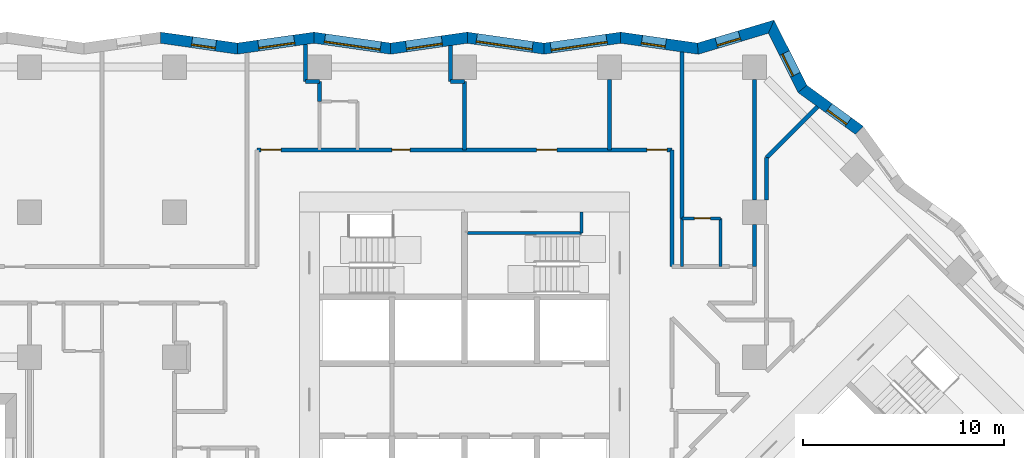
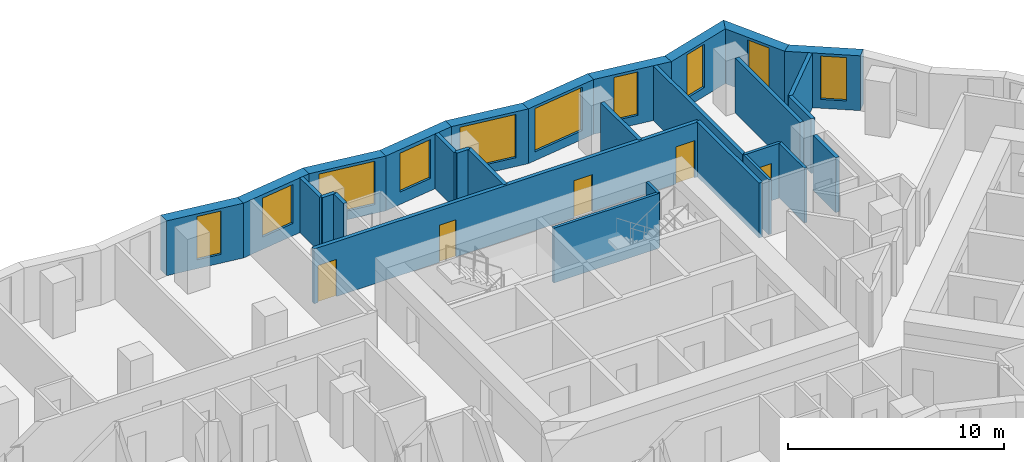
# One storey, part 6 of 12: 29 walls, 10 windows, 5 doors, 15 openings.
"""IFC4 building model written with IfcOpenShell, lengths in metres."""

from ifc_helpers import new_model, si_unit, direction, frame, frame_2d, origin, place, context, subcontext, project, spatial, polyline, rectangle, outline, extrude, material, layer, layer_set, type_object, element, fill, save


model = new_model("IFC4")

# Units and contexts
model_context = context("Model", 3, precision=1e-05, world=origin(), true_north=direction((0.0, 1.0)))
body_context = subcontext(model_context, "Body", "Model", "MODEL_VIEW")
ifc_project = project(units=[si_unit("LENGTHUNIT", "METRE"), si_unit("AREAUNIT", "SQUARE_METRE"), si_unit("VOLUMEUNIT", "CUBIC_METRE"), si_unit("PLANEANGLEUNIT", "RADIAN"), si_unit("MASSUNIT", "GRAM", prefix="KILO")], contexts=[model_context])

# Site, building, storey
site_placement = place(None, origin())
site = spatial("IfcSite", under=ifc_project, at=site_placement, CompositionType="ELEMENT")
building_placement = place(site_placement, origin())
building = spatial("IfcBuilding", under=site, at=building_placement, Name="Windrow Commons", CompositionType="ELEMENT")
storey_placement = place(building_placement, frame((0.0, 0.0, 54.2)))
storey = spatial("IfcBuildingStorey", under=building, at=storey_placement, Name="L14", CompositionType="ELEMENT", Elevation=54.2)

# Wall, opening, window
ifc_material_1 = material(Name="Brick masonry, red clay brick", Category="masonry")
ifc_layer_1 = layer(ifc_material_1, 0.55)
ifc_layer_set_1 = layer_set([ifc_layer_1], Name="Brick facade wall 550")
wall_type_1 = type_object("IfcWallType", Name="Brick facade wall 550", PredefinedType="SOLIDWALL", material=ifc_layer_set_1)
wall_1_placement = place(storey_placement, frame((84.4077, 68.8622, 0.0), z_axis=(0.0, 0.0, 1.0), x_axis=(-0.8086607451, 0.5882752751, 0.0)))
wall_1 = element("IfcWall", 1, at=wall_1_placement, inside=storey, type_object=wall_type_1, Name="Brick facade wall L14 21", PredefinedType="SOLIDWALL", context=body_context, shape_type="SweptSolid", body=[
    extrude(outline(polyline([(-0.0434, -0.275), (3.4347, -0.275), (3.5686, 0.275), (0.0434, 0.275), (-0.0434, -0.275)])), origin(), (0.0, 0.0, 1.0), 3.1),
])
opening_1_placement = place(wall_1_placement, frame((0.6865, 0.0, 0.5)))
opening_1 = element("IfcOpeningElement", 2, at=opening_1_placement, cuts=wall_1, Name="Opening W7D", PredefinedType="OPENING", context=body_context, shape_type="SweptSolid", body=[
    extrude(rectangle(XDim=1.2, YDim=2.45, at=frame_2d((0.6, 1.225))), frame((0.0, 0.285, 0.0), z_axis=(0.0, -1.0, 0.0), x_axis=(1.0, 0.0, 0.0)), (0.0, 0.0, 1.0), 0.57),
])
ifc_material_2 = material(Name="Clear float glass in anodised aluminium frame", Category="aluminium")
window_type_1 = type_object("IfcWindowType", Name="Window W7 notch 1200x2450", PartitioningType="SINGLE_PANEL", PredefinedType="WINDOW", material=ifc_material_2)
window_1_placement = place(opening_1_placement, origin())
window_1 = element("IfcWindow", 3, at=window_1_placement, inside=storey, type_object=window_type_1, Name="Window L14 21.1", OverallHeight=2.45, OverallWidth=1.2, PartitioningType="SINGLE_PANEL", PredefinedType="WINDOW", context=body_context, shape_type="SweptSolid", body=[
    extrude(rectangle(XDim=1.2, YDim=2.45, at=frame_2d((0.6, 1.225))), frame((0.0, 0.155, 0.0), z_axis=(0.0, -1.0, 0.0), x_axis=(1.0, 0.0, 0.0)), (0.0, 0.0, 1.0), 0.06),
])
fill(opening_1, window_1)

wall_2_placement = place(storey_placement, frame((81.5761, 70.9221, 0.0), z_axis=(0.0, 0.0, 1.0), x_axis=(-0.4479656887, 0.894050749, 0.0)))
wall_2 = element("IfcWall", 4, at=wall_2_placement, inside=storey, type_object=wall_type_1, Name="Brick facade wall L14 22", PredefinedType="SOLIDWALL", context=body_context, shape_type="SweptSolid", body=[
    extrude(outline(polyline([(0.0669, -0.275), (3.6874, -0.275), (3.2252, 0.275), (-0.0669, 0.275), (0.0669, -0.275)])), origin(), (0.0, 0.0, 1.0), 3.1),
])
opening_2_placement = place(wall_2_placement, frame((0.7869, 0.0, 0.5)))
opening_2 = element("IfcOpeningElement", 5, at=opening_2_placement, cuts=wall_2, Name="Opening W7D", PredefinedType="OPENING", context=body_context, shape_type="SweptSolid", body=[
    extrude(rectangle(XDim=1.2, YDim=2.45, at=frame_2d((0.6, 1.225))), frame((0.0, 0.285, 0.0), z_axis=(0.0, -1.0, 0.0), x_axis=(1.0, 0.0, 0.0)), (0.0, 0.0, 1.0), 0.57),
])
window_2_placement = place(opening_2_placement, origin())
window_2 = element("IfcWindow", 6, at=window_2_placement, inside=storey, type_object=window_type_1, Name="Window L14 22.1", OverallHeight=2.45, OverallWidth=1.2, PartitioningType="SINGLE_PANEL", PredefinedType="WINDOW", context=body_context, shape_type="SweptSolid", body=[
    extrude(rectangle(XDim=1.2, YDim=2.45, at=frame_2d((0.6, 1.225))), frame((0.0, 0.155, 0.0), z_axis=(0.0, -1.0, 0.0), x_axis=(1.0, 0.0, 0.0)), (0.0, 0.0, 1.0), 0.06),
])
fill(opening_2, window_2)

wall_3_placement = place(storey_placement, frame((80.0278, 74.0122, 0.0), z_axis=(0.0, 0.0, 1.0), x_axis=(-0.9578320732, -0.2873285915, 0.0)))
wall_3 = element("IfcWall", 7, at=wall_3_placement, inside=storey, type_object=wall_type_1, Name="Brick facade wall L14 23", PredefinedType="SOLIDWALL", context=body_context, shape_type="SweptSolid", body=[
    extrude(outline(polyline([(-0.2311, -0.275), (3.7435, -0.275), (3.8644, 0.275), (0.2311, 0.275), (-0.2311, -0.275)])), origin(), (0.0, 0.0, 1.0), 3.1),
])
opening_3_placement = place(wall_3_placement, frame((1.6341, 0.0, 0.5)))
opening_3 = element("IfcOpeningElement", 8, at=opening_3_placement, cuts=wall_3, Name="Opening W7D", PredefinedType="OPENING", context=body_context, shape_type="SweptSolid", body=[
    extrude(rectangle(XDim=1.2, YDim=2.45, at=frame_2d((0.6, 1.225))), frame((0.0, 0.285, 0.0), z_axis=(0.0, -1.0, 0.0), x_axis=(1.0, 0.0, 0.0)), (0.0, 0.0, 1.0), 0.57),
])
window_3_placement = place(opening_3_placement, origin())
window_3 = element("IfcWindow", 9, at=window_3_placement, inside=storey, type_object=window_type_1, Name="Window L14 23.1", OverallHeight=2.45, OverallWidth=1.2, PartitioningType="SINGLE_PANEL", PredefinedType="WINDOW", context=body_context, shape_type="SweptSolid", body=[
    extrude(rectangle(XDim=1.2, YDim=2.45, at=frame_2d((0.6, 1.225))), frame((0.0, 0.155, 0.0), z_axis=(0.0, -1.0, 0.0), x_axis=(1.0, 0.0, 0.0)), (0.0, 0.0, 1.0), 0.06),
])
fill(opening_3, window_3)

wall_4_placement = place(storey_placement, frame((76.3842, 72.9192, 0.0), z_axis=(0.0, 0.0, 1.0), x_axis=(-0.9900171381, 0.1409470338, 0.0)))
wall_4 = element("IfcWall", 10, at=wall_4_placement, inside=storey, type_object=wall_type_1, Name="Brick facade wall L14 24", PredefinedType="SOLIDWALL", context=body_context, shape_type="SweptSolid", body=[
    extrude(outline(polyline([(0.0605, -0.275), (3.9059, -0.275), (3.8276, 0.275), (-0.0605, 0.275), (0.0605, -0.275)])), origin(), (0.0, 0.0, 1.0), 3.1),
])
opening_4_placement = place(wall_4_placement, frame((1.6098, 0.0, 0.5)))
opening_4 = element("IfcOpeningElement", 11, at=opening_4_placement, cuts=wall_4, Name="Opening W7D", PredefinedType="OPENING", context=body_context, shape_type="SweptSolid", body=[
    extrude(rectangle(XDim=1.2, YDim=2.45, at=frame_2d((0.6, 1.225))), frame((0.0, 0.285, 0.0), z_axis=(0.0, -1.0, 0.0), x_axis=(1.0, 0.0, 0.0)), (0.0, 0.0, 1.0), 0.57),
])
window_4_placement = place(opening_4_placement, origin())
window_4 = element("IfcWindow", 12, at=window_4_placement, inside=storey, type_object=window_type_1, Name="Window L14 24.1", OverallHeight=2.45, OverallWidth=1.2, PartitioningType="SINGLE_PANEL", PredefinedType="WINDOW", context=body_context, shape_type="SweptSolid", body=[
    extrude(rectangle(XDim=1.2, YDim=2.45, at=frame_2d((0.6, 1.225))), frame((0.0, 0.155, 0.0), z_axis=(0.0, -1.0, 0.0), x_axis=(1.0, 0.0, 0.0)), (0.0, 0.0, 1.0), 0.06),
])
fill(opening_4, window_4)

wall_5_placement = place(storey_placement, frame((72.5561, 73.4642, 0.0), z_axis=(0.0, 0.0, 1.0), x_axis=(-0.990016994, -0.1409480459, 0.0)))
wall_5 = element("IfcWall", 13, at=wall_5_placement, inside=storey, type_object=wall_type_1, Name="Brick facade wall L14 25", PredefinedType="SOLIDWALL", context=body_context, shape_type="SweptSolid", body=[
    extrude(outline(polyline([(-0.0392, -0.275), (3.8062, -0.275), (3.8845, 0.275), (0.0392, 0.275), (-0.0392, -0.275)])), origin(), (0.0, 0.0, 1.0), 3.1),
])
opening_5_placement = place(wall_5_placement, frame((0.7036, 0.0, 0.5)))
opening_5 = element("IfcOpeningElement", 14, at=opening_5_placement, cuts=wall_5, Name="Opening W1T", PredefinedType="OPENING", context=body_context, shape_type="SweptSolid", body=[
    extrude(rectangle(XDim=2.8, YDim=2.45, at=frame_2d((1.4, 1.225))), frame((0.0, 0.285, 0.0), z_axis=(0.0, -1.0, 0.0), x_axis=(1.0, 0.0, 0.0)), (0.0, 0.0, 1.0), 0.57),
])
ifc_material_3 = material(Name="Clear float glass in anodised aluminium frame", Category="aluminium")
window_type_2 = type_object("IfcWindowType", Name="Window W1T bedroom 2800x2450", PartitioningType="SINGLE_PANEL", PredefinedType="WINDOW", material=ifc_material_3)
window_5_placement = place(opening_5_placement, origin())
window_5 = element("IfcWindow", 15, at=window_5_placement, inside=storey, type_object=window_type_2, Name="Window L14 25.1", OverallHeight=2.45, OverallWidth=2.8, PartitioningType="SINGLE_PANEL", PredefinedType="WINDOW", context=body_context, shape_type="SweptSolid", body=[
    extrude(rectangle(XDim=2.8, YDim=2.45, at=frame_2d((1.4, 1.225))), frame((0.0, 0.155, 0.0), z_axis=(0.0, -1.0, 0.0), x_axis=(1.0, 0.0, 0.0)), (0.0, 0.0, 1.0), 0.06),
])
fill(opening_5, window_5)

wall_6_placement = place(storey_placement, frame((68.7491, 72.9222, 0.0), z_axis=(0.0, 0.0, 1.0), x_axis=(-0.990016994, 0.1409480459, 0.0)))
wall_6 = element("IfcWall", 16, at=wall_6_placement, inside=storey, type_object=wall_type_1, Name="Brick facade wall L14 26", PredefinedType="SOLIDWALL", context=body_context, shape_type="SweptSolid", body=[
    extrude(outline(polyline([(0.0392, -0.275), (3.8845, -0.275), (3.8062, 0.275), (-0.0392, 0.275), (0.0392, -0.275)])), origin(), (0.0, 0.0, 1.0), 3.1),
])
opening_6_placement = place(wall_6_placement, frame((0.5794, 0.0, 0.5)))
opening_6 = element("IfcOpeningElement", 17, at=opening_6_placement, cuts=wall_6, Name="Opening W1T", PredefinedType="OPENING", context=body_context, shape_type="SweptSolid", body=[
    extrude(rectangle(XDim=2.8, YDim=2.45, at=frame_2d((1.4, 1.225))), frame((0.0, 0.285, 0.0), z_axis=(0.0, -1.0, 0.0), x_axis=(1.0, 0.0, 0.0)), (0.0, 0.0, 1.0), 0.57),
])
window_6_placement = place(opening_6_placement, origin())
window_6 = element("IfcWindow", 18, at=window_6_placement, inside=storey, type_object=window_type_2, Name="Window L14 26.1", OverallHeight=2.45, OverallWidth=2.8, PartitioningType="SINGLE_PANEL", PredefinedType="WINDOW", context=body_context, shape_type="SweptSolid", body=[
    extrude(rectangle(XDim=2.8, YDim=2.45, at=frame_2d((1.4, 1.225))), frame((0.0, 0.155, 0.0), z_axis=(0.0, -1.0, 0.0), x_axis=(1.0, 0.0, 0.0)), (0.0, 0.0, 1.0), 0.06),
])
fill(opening_6, window_6)

wall_7_placement = place(storey_placement, frame((64.9421, 73.4642, 0.0), z_axis=(0.0, 0.0, 1.0), x_axis=(-0.990016994, -0.1409480459, 0.0)))
wall_7 = element("IfcWall", 19, at=wall_7_placement, inside=storey, type_object=wall_type_1, Name="Brick facade wall L14 27", PredefinedType="SOLIDWALL", context=body_context, shape_type="SweptSolid", body=[
    extrude(outline(polyline([(-0.0392, -0.275), (3.8062, -0.275), (3.8845, 0.275), (0.0392, 0.275), (-0.0392, -0.275)])), origin(), (0.0, 0.0, 1.0), 3.1),
])
opening_7_placement = place(wall_7_placement, frame((1.266, 0.0, 0.7)))
opening_7 = element("IfcOpeningElement", 20, at=opening_7_placement, cuts=wall_7, Name="Opening W6", PredefinedType="OPENING", context=body_context, shape_type="SweptSolid", body=[
    extrude(rectangle(XDim=1.8, YDim=2.2, at=frame_2d((0.9, 1.1))), frame((0.0, 0.285, 0.0), z_axis=(0.0, -1.0, 0.0), x_axis=(1.0, 0.0, 0.0)), (0.0, 0.0, 1.0), 0.57),
])
ifc_material_4 = material(Name="Clear float glass in anodised aluminium frame", Category="aluminium")
window_type_3 = type_object("IfcWindowType", Name="Window W6 crown 1800x2200", PartitioningType="SINGLE_PANEL", PredefinedType="WINDOW", material=ifc_material_4)
window_7_placement = place(opening_7_placement, origin())
window_7 = element("IfcWindow", 21, at=window_7_placement, inside=storey, type_object=window_type_3, Name="Window L14 27.1A", OverallHeight=2.2, OverallWidth=1.8, PartitioningType="SINGLE_PANEL", PredefinedType="WINDOW", context=body_context, shape_type="SweptSolid", body=[
    extrude(rectangle(XDim=1.8, YDim=2.2, at=frame_2d((0.9, 1.1))), frame((0.0, 0.155, 0.0), z_axis=(0.0, -1.0, 0.0), x_axis=(1.0, 0.0, 0.0)), (0.0, 0.0, 1.0), 0.06),
])
fill(opening_7, window_7)

wall_8_placement = place(storey_placement, frame((61.1351, 72.9222, 0.0), z_axis=(0.0, 0.0, 1.0), x_axis=(-0.990016994, 0.1409480459, 0.0)))
wall_8 = element("IfcWall", 22, at=wall_8_placement, inside=storey, type_object=wall_type_1, Name="Brick facade wall L14 28", PredefinedType="SOLIDWALL", context=body_context, shape_type="SweptSolid", body=[
    extrude(outline(polyline([(0.0392, -0.275), (3.8845, -0.275), (3.8062, 0.275), (-0.0392, 0.275), (0.0392, -0.275)])), origin(), (0.0, 0.0, 1.0), 3.1),
])
opening_8_placement = place(wall_8_placement, frame((0.5031, 0.0, 0.5)))
opening_8 = element("IfcOpeningElement", 23, at=opening_8_placement, cuts=wall_8, Name="Opening W1T", PredefinedType="OPENING", context=body_context, shape_type="SweptSolid", body=[
    extrude(rectangle(XDim=2.8, YDim=2.45, at=frame_2d((1.4, 1.225))), frame((0.0, 0.285, 0.0), z_axis=(0.0, -1.0, 0.0), x_axis=(1.0, 0.0, 0.0)), (0.0, 0.0, 1.0), 0.57),
])
window_8_placement = place(opening_8_placement, origin())
window_8 = element("IfcWindow", 24, at=window_8_placement, inside=storey, type_object=window_type_2, Name="Window L14 28.1", OverallHeight=2.45, OverallWidth=2.8, PartitioningType="SINGLE_PANEL", PredefinedType="WINDOW", context=body_context, shape_type="SweptSolid", body=[
    extrude(rectangle(XDim=2.8, YDim=2.45, at=frame_2d((1.4, 1.225))), frame((0.0, 0.155, 0.0), z_axis=(0.0, -1.0, 0.0), x_axis=(1.0, 0.0, 0.0)), (0.0, 0.0, 1.0), 0.06),
])
fill(opening_8, window_8)

wall_9_placement = place(storey_placement, frame((57.3281, 73.4642, 0.0), z_axis=(0.0, 0.0, 1.0), x_axis=(-0.990016994, -0.1409480459, 0.0)))
wall_9 = element("IfcWall", 25, at=wall_9_placement, inside=storey, type_object=wall_type_1, Name="Brick facade wall L14 29", PredefinedType="SOLIDWALL", context=body_context, shape_type="SweptSolid", body=[
    extrude(outline(polyline([(-0.0392, -0.275), (3.8062, -0.275), (3.8845, 0.275), (0.0392, 0.275), (-0.0392, -0.275)])), origin(), (0.0, 0.0, 1.0), 3.1),
])
opening_9_placement = place(wall_9_placement, frame((0.986, 0.0, 0.7)))
opening_9 = element("IfcOpeningElement", 26, at=opening_9_placement, cuts=wall_9, Name="Opening W6", PredefinedType="OPENING", context=body_context, shape_type="SweptSolid", body=[
    extrude(rectangle(XDim=1.8, YDim=2.2, at=frame_2d((0.9, 1.1))), frame((0.0, 0.285, 0.0), z_axis=(0.0, -1.0, 0.0), x_axis=(1.0, 0.0, 0.0)), (0.0, 0.0, 1.0), 0.57),
])
window_9_placement = place(opening_9_placement, origin())
window_9 = element("IfcWindow", 27, at=window_9_placement, inside=storey, type_object=window_type_3, Name="Window L14 29.1A", OverallHeight=2.2, OverallWidth=1.8, PartitioningType="SINGLE_PANEL", PredefinedType="WINDOW", context=body_context, shape_type="SweptSolid", body=[
    extrude(rectangle(XDim=1.8, YDim=2.2, at=frame_2d((0.9, 1.1))), frame((0.0, 0.155, 0.0), z_axis=(0.0, -1.0, 0.0), x_axis=(1.0, 0.0, 0.0)), (0.0, 0.0, 1.0), 0.06),
])
fill(opening_9, window_9)

wall_10_placement = place(storey_placement, frame((53.5211, 72.9222, 0.0), z_axis=(0.0, 0.0, 1.0), x_axis=(-0.990016994, 0.1409480459, 0.0)))
wall_10 = element("IfcWall", 28, at=wall_10_placement, inside=storey, type_object=wall_type_1, Name="Brick facade wall L14 30", PredefinedType="SOLIDWALL", context=body_context, shape_type="SweptSolid", body=[
    extrude(outline(polyline([(0.0392, -0.275), (3.8845, -0.275), (3.8062, 0.275), (-0.0392, 0.275), (0.0392, -0.275)])), origin(), (0.0, 0.0, 1.0), 3.1),
])
opening_10_placement = place(wall_10_placement, frame((1.0763, 0.0, 0.5)))
opening_10 = element("IfcOpeningElement", 29, at=opening_10_placement, cuts=wall_10, Name="Opening W7D", PredefinedType="OPENING", context=body_context, shape_type="SweptSolid", body=[
    extrude(rectangle(XDim=1.2, YDim=2.45, at=frame_2d((0.6, 1.225))), frame((0.0, 0.285, 0.0), z_axis=(0.0, -1.0, 0.0), x_axis=(1.0, 0.0, 0.0)), (0.0, 0.0, 1.0), 0.57),
])
window_10_placement = place(opening_10_placement, origin())
window_10 = element("IfcWindow", 30, at=window_10_placement, inside=storey, type_object=window_type_1, Name="Window L14 30.1", OverallHeight=2.45, OverallWidth=1.2, PartitioningType="SINGLE_PANEL", PredefinedType="WINDOW", context=body_context, shape_type="SweptSolid", body=[
    extrude(rectangle(XDim=1.2, YDim=2.45, at=frame_2d((0.6, 1.225))), frame((0.0, 0.155, 0.0), z_axis=(0.0, -1.0, 0.0), x_axis=(1.0, 0.0, 0.0)), (0.0, 0.0, 1.0), 0.06),
])
fill(opening_10, window_10)

# Wall, openings, doors
ifc_material_5 = material(Name="Blockwork partition", Category="masonry")
ifc_layer_2 = layer(ifc_material_5, 0.2)
ifc_layer_set_2 = layer_set([ifc_layer_2], Name="IW-CORRIDOR-200")
wall_type_2 = type_object("IfcWallType", Name="IW-CORRIDOR-200", PredefinedType="PARTITIONING", material=ifc_layer_set_2)
wall_11_placement = place(storey_placement, frame((54.5, 67.9, 0.0), z_axis=(0.0, 0.0, 1.0), x_axis=(1.0, 0.0, 0.0)))
wall_11 = element("IfcWall", 31, at=wall_11_placement, inside=storey, type_object=wall_type_2, Name="W-L14-W003", PredefinedType="PARTITIONING", context=body_context, shape_type="SweptSolid", body=[
    extrude(rectangle(XDim=20.6, YDim=0.2, at=frame_2d((10.3, 0.0))), origin(), (0.0, 0.0, 1.0), 3.1),
])
opening_11_placement = place(wall_11_placement, frame((0.1975, 0.0, 0.0)))
opening_11 = element("IfcOpeningElement", 32, at=opening_11_placement, cuts=wall_11, Name="Opening D310F", PredefinedType="OPENING", context=body_context, shape_type="SweptSolid", body=[
    extrude(rectangle(XDim=1.0, YDim=2.1, at=frame_2d((0.5, 1.05))), frame((0.0, 0.11, 0.0), z_axis=(0.0, -1.0, 0.0), x_axis=(1.0, 0.0, 0.0)), (0.0, 0.0, 1.0), 0.22),
])
opening_12_placement = place(wall_11_placement, frame((19.3578, 0.0, 0.0)))
opening_12 = element("IfcOpeningElement", 33, at=opening_12_placement, cuts=wall_11, Name="Opening D310F", PredefinedType="OPENING", context=body_context, shape_type="SweptSolid", body=[
    extrude(rectangle(XDim=1.0, YDim=2.1, at=frame_2d((0.5, 1.05))), frame((0.0, 0.11, 0.0), z_axis=(0.0, -1.0, 0.0), x_axis=(1.0, 0.0, 0.0)), (0.0, 0.0, 1.0), 0.22),
])
opening_13_placement = place(wall_11_placement, frame((6.6983, 0.0, 0.0)))
opening_13 = element("IfcOpeningElement", 34, at=opening_13_placement, cuts=wall_11, Name="Opening D109F", PredefinedType="OPENING", context=body_context, shape_type="SweptSolid", body=[
    extrude(rectangle(XDim=0.9, YDim=2.1, at=frame_2d((0.45, 1.05))), frame((0.0, 0.11, 0.0), z_axis=(0.0, -1.0, 0.0), x_axis=(1.0, 0.0, 0.0)), (0.0, 0.0, 1.0), 0.22),
])
opening_14_placement = place(wall_11_placement, frame((13.8837, 0.0, 0.0)))
opening_14 = element("IfcOpeningElement", 35, at=opening_14_placement, cuts=wall_11, Name="Opening D310F", PredefinedType="OPENING", context=body_context, shape_type="SweptSolid", body=[
    extrude(rectangle(XDim=1.0, YDim=2.1, at=frame_2d((0.5, 1.05))), frame((0.0, 0.11, 0.0), z_axis=(0.0, -1.0, 0.0), x_axis=(1.0, 0.0, 0.0)), (0.0, 0.0, 1.0), 0.22),
])
ifc_material_6 = material(Name="Timber door leaf", Category="wood")
door_type_1 = type_object("IfcDoorType", Name="DT-AMENITY-1000", OperationType="SINGLE_SWING_LEFT", PredefinedType="DOOR", material=ifc_material_6)
door_1_placement = place(opening_11_placement, origin())
door_1 = element("IfcDoor", 36, at=door_1_placement, inside=storey, type_object=door_type_1, Name="D-L14-D010", OperationType="SINGLE_SWING_LEFT", OverallHeight=2.1, OverallWidth=1.0, PredefinedType="DOOR", context=body_context, shape_type="SweptSolid", body=[
    extrude(rectangle(XDim=1.0, YDim=2.1, at=frame_2d((0.5, 1.05))), frame((0.0, 0.025, 0.0), z_axis=(0.0, -1.0, 0.0), x_axis=(1.0, 0.0, 0.0)), (0.0, 0.0, 1.0), 0.05),
])
fill(opening_11, door_1)
door_2_placement = place(opening_12_placement, origin())
door_2 = element("IfcDoor", 37, at=door_2_placement, inside=storey, type_object=door_type_1, Name="D-L14-D011", OperationType="SINGLE_SWING_RIGHT", OverallHeight=2.1, OverallWidth=1.0, PredefinedType="DOOR", context=body_context, shape_type="SweptSolid", body=[
    extrude(rectangle(XDim=1.0, YDim=2.1, at=frame_2d((0.5, 1.05))), frame((0.0, 0.025, 0.0), z_axis=(0.0, -1.0, 0.0), x_axis=(1.0, 0.0, 0.0)), (0.0, 0.0, 1.0), 0.05),
])
fill(opening_12, door_2)
door_3_placement = place(opening_14_placement, origin())
door_3 = element("IfcDoor", 38, at=door_3_placement, inside=storey, type_object=door_type_1, Name="D-L14-D024", OperationType="SINGLE_SWING_RIGHT", OverallHeight=2.1, OverallWidth=1.0, PredefinedType="DOOR", context=body_context, shape_type="SweptSolid", body=[
    extrude(rectangle(XDim=1.0, YDim=2.1, at=frame_2d((0.5, 1.05))), frame((0.0, 0.025, 0.0), z_axis=(0.0, -1.0, 0.0), x_axis=(1.0, 0.0, 0.0)), (0.0, 0.0, 1.0), 0.05),
])
fill(opening_14, door_3)
ifc_material_7 = material(Name="Timber door leaf", Category="wood")
door_type_2 = type_object("IfcDoorType", Name="DT-BEDROOM-900", OperationType="SINGLE_SWING_LEFT", PredefinedType="DOOR", material=ifc_material_7)
door_4_placement = place(opening_13_placement, origin())
door_4 = element("IfcDoor", 39, at=door_4_placement, inside=storey, type_object=door_type_2, Name="D-L14-D022", OperationType="SINGLE_SWING_RIGHT", OverallHeight=2.1, OverallWidth=0.9, PredefinedType="DOOR", context=body_context, shape_type="SweptSolid", body=[
    extrude(rectangle(XDim=0.9, YDim=2.1, at=frame_2d((0.45, 1.05))), frame((0.0, 0.025, 0.0), z_axis=(0.0, -1.0, 0.0), x_axis=(1.0, 0.0, 0.0)), (0.0, 0.0, 1.0), 0.05),
])
fill(opening_13, door_4)

# Walls
wall_12_placement = place(storey_placement, frame((75.1, 62.102, 0.0), z_axis=(0.0, 0.0, 1.0), x_axis=(0.0, 1.0, 0.0)))
element("IfcWall", 40, at=wall_12_placement, inside=storey, type_object=wall_type_2, Name="W-L14-W034", PredefinedType="PARTITIONING", context=body_context, shape_type="SweptSolid", body=[
    extrude(rectangle(XDim=5.798, YDim=0.2, at=frame_2d((2.899, 0.0))), origin(), (0.0, 0.0, 1.0), 3.1),
])
ifc_material_8 = material(Name="Blockwork partition", Category="masonry")
ifc_layer_3 = layer(ifc_material_8, 0.15)
ifc_layer_set_3 = layer_set([ifc_layer_3], Name="IW-ENSUITE-150")
wall_type_3 = type_object("IfcWallType", Name="IW-ENSUITE-150", PredefinedType="PARTITIONING", material=ifc_layer_set_3)
for number, where, z_axis, x_axis, name in (
    (41, (75.6, 62.1, 0.0), (0.0, 0.0, 1.0), (0.0, 1.0, 0.0), "W-L14-W080"),
    (42, (77.5, 62.1, 0.0), (0.0, 0.0, 1.0), (0.0, 1.0, 0.0), "W-L14-W081"),
):
    element("IfcWall", number, at=place(storey_placement, frame(where, z_axis=z_axis, x_axis=x_axis)), inside=storey, type_object=wall_type_3, Name=name, PredefinedType="PARTITIONING", context=body_context, shape_type="SweptSolid", body=[
        extrude(rectangle(XDim=2.4, YDim=0.15, at=frame_2d((1.2, 0.0))), origin(), (0.0, 0.0, 1.0), 3.1),
    ])

# Wall, opening, door
wall_13_placement = place(storey_placement, frame((75.6, 64.5, 0.0), z_axis=(0.0, 0.0, 1.0), x_axis=(1.0, 0.0, 0.0)))
wall_13 = element("IfcWall", 43, at=wall_13_placement, inside=storey, type_object=wall_type_3, Name="W-L14-W108", PredefinedType="PARTITIONING", context=body_context, shape_type="SweptSolid", body=[
    extrude(rectangle(XDim=1.9, YDim=0.15, at=frame_2d((0.95, 0.0))), origin(), (0.0, 0.0, 1.0), 3.1),
])
opening_15_placement = place(wall_13_placement, frame((0.6069, 0.0, 0.0)))
opening_15 = element("IfcOpeningElement", 44, at=opening_15_placement, cuts=wall_13, Name="Opening D208N", PredefinedType="OPENING", context=body_context, shape_type="SweptSolid", body=[
    extrude(rectangle(XDim=0.8, YDim=2.1, at=frame_2d((0.4, 1.05))), frame((0.0, 0.085, 0.0), z_axis=(0.0, -1.0, 0.0), x_axis=(1.0, 0.0, 0.0)), (0.0, 0.0, 1.0), 0.17),
])
ifc_material_9 = material(Name="Timber door leaf", Category="wood")
door_type_3 = type_object("IfcDoorType", Name="DT-ENSUITE-800", OperationType="SINGLE_SWING_LEFT", PredefinedType="DOOR", material=ifc_material_9)
door_5_placement = place(opening_15_placement, origin())
door_5 = element("IfcDoor", 45, at=door_5_placement, inside=storey, type_object=door_type_3, Name="D-L14-D013", OperationType="SINGLE_SWING_RIGHT", OverallHeight=2.1, OverallWidth=0.8, PredefinedType="DOOR", context=body_context, shape_type="SweptSolid", body=[
    extrude(rectangle(XDim=0.8, YDim=2.1, at=frame_2d((0.4, 1.05))), frame((0.0, 0.025, 0.0), z_axis=(0.0, -1.0, 0.0), x_axis=(1.0, 0.0, 0.0)), (0.0, 0.0, 1.0), 0.05),
])
fill(opening_15, door_5)

# Walls
ifc_material_10 = material(Name="Blockwork partition", Category="masonry")
ifc_layer_4 = layer(ifc_material_10, 0.2)
ifc_layer_set_4 = layer_set([ifc_layer_4], Name="IW-PARTY-200")
wall_type_4 = type_object("IfcWallType", Name="IW-PARTY-200", PredefinedType="PARTITIONING", material=ifc_layer_set_4)
wall_14_placement = place(storey_placement, frame((75.6, 64.5, 0.0), z_axis=(0.0, 0.0, 1.0), x_axis=(0.0, 1.0, 0.0)))
element("IfcWall", 46, at=wall_14_placement, inside=storey, type_object=wall_type_4, Name="W-L14-W018", PredefinedType="PARTITIONING", context=body_context, shape_type="SweptSolid", body=[
    extrude(rectangle(XDim=8.2531, YDim=0.2, at=frame_2d((4.1265, 0.0))), origin(), (0.0, 0.0, 1.0), 3.1),
])
wall_15_placement = place(storey_placement, frame((79.2, 65.4, 0.0), z_axis=(0.0, 0.0, 1.0), x_axis=(0.0, 1.0, 0.0)))
element("IfcWall", 47, at=wall_15_placement, inside=storey, type_object=wall_type_4, Name="W-L14-W031", PredefinedType="PARTITIONING", context=body_context, shape_type="SweptSolid", body=[
    extrude(rectangle(XDim=6.0, YDim=0.2, at=frame_2d((3.0, 0.0))), origin(), (0.0, 0.0, 1.0), 3.1),
])
wall_16_placement = place(storey_placement, frame((79.7988, 67.5092, 0.0), z_axis=(0.0, 0.0, 1.0), x_axis=(0.7070927914, 0.7071207707, 0.0)))
element("IfcWall", 48, at=wall_16_placement, inside=storey, type_object=wall_type_4, Name="W-L14-W050", PredefinedType="PARTITIONING", context=body_context, shape_type="SweptSolid", body=[
    extrude(rectangle(XDim=3.5741, YDim=0.2, at=frame_2d((1.7871, 0.0))), origin(), (0.0, 0.0, 1.0), 3.1),
])
wall_17_placement = place(storey_placement, frame((72.0, 67.9, 0.0), z_axis=(0.0, 0.0, 1.0), x_axis=(0.0, 1.0, 0.0)))
element("IfcWall", 49, at=wall_17_placement, inside=storey, type_object=wall_type_4, Name="W-L14-W051", PredefinedType="PARTITIONING", context=body_context, shape_type="SweptSolid", body=[
    extrude(rectangle(XDim=3.5, YDim=0.2, at=frame_2d((1.75, 0.0))), origin(), (0.0, 0.0, 1.0), 3.1),
])
wall_18_placement = place(storey_placement, frame((64.8, 67.9, 0.0), z_axis=(0.0, 0.0, 1.0), x_axis=(0.0, 1.0, 0.0)))
element("IfcWall", 50, at=wall_18_placement, inside=storey, type_object=wall_type_4, Name="W-L14-W052", PredefinedType="PARTITIONING", context=body_context, shape_type="SweptSolid", body=[
    extrude(rectangle(XDim=3.396, YDim=0.2, at=frame_2d((1.698, 0.0))), origin(), (0.0, 0.0, 1.0), 3.1),
])
wall_19_placement = place(storey_placement, frame((79.8, 65.4, 0.0), z_axis=(0.0, 0.0, 1.0), x_axis=(0.0, 1.0, 0.0)))
element("IfcWall", 51, at=wall_19_placement, inside=storey, type_object=wall_type_4, Name="W-L14-W097", PredefinedType="PARTITIONING", context=body_context, shape_type="SweptSolid", body=[
    extrude(rectangle(XDim=2.108, YDim=0.2, at=frame_2d((1.054, 0.0))), origin(), (0.0, 0.0, 1.0), 3.1),
])
wall_20_placement = place(storey_placement, frame((79.2, 62.1, 0.0), z_axis=(0.0, 0.0, 1.0), x_axis=(0.0, 1.0, 0.0)))
element("IfcWall", 52, at=wall_20_placement, inside=storey, type_object=wall_type_4, Name="W-L14-W101", PredefinedType="PARTITIONING", context=body_context, shape_type="SweptSolid", body=[
    extrude(rectangle(XDim=2.1, YDim=0.2, at=frame_2d((1.05, 0.0))), origin(), (0.0, 0.0, 1.0), 3.1),
])
wall_21_placement = place(storey_placement, frame((56.9, 71.296, 0.0), z_axis=(0.0, 0.0, 1.0), x_axis=(0.0, 1.0, 0.0)))
element("IfcWall", 53, at=wall_21_placement, inside=storey, type_object=wall_type_4, Name="W-L14-W132", PredefinedType="PARTITIONING", context=body_context, shape_type="SweptSolid", body=[
    extrude(rectangle(XDim=1.8295, YDim=0.2, at=frame_2d((0.9147, 0.0))), origin(), (0.0, 0.0, 1.0), 3.1),
])
wall_22_placement = place(storey_placement, frame((64.1, 71.296, 0.0), z_axis=(0.0, 0.0, 1.0), x_axis=(0.0, 1.0, 0.0)))
element("IfcWall", 54, at=wall_22_placement, inside=storey, type_object=wall_type_4, Name="W-L14-W134", PredefinedType="PARTITIONING", context=body_context, shape_type="SweptSolid", body=[
    extrude(rectangle(XDim=1.7706, YDim=0.2, at=frame_2d((0.8853, 0.0))), origin(), (0.0, 0.0, 1.0), 3.1),
])
wall_23_placement = place(storey_placement, frame((57.6, 70.3, 0.0), z_axis=(0.0, 0.0, 1.0), x_axis=(0.0, 1.0, 0.0)))
element("IfcWall", 55, at=wall_23_placement, inside=storey, type_object=wall_type_4, Name="W-L14-W150", PredefinedType="PARTITIONING", context=body_context, shape_type="SweptSolid", body=[
    extrude(rectangle(XDim=0.996, YDim=0.2, at=frame_2d((0.498, 0.0))), origin(), (0.0, 0.0, 1.0), 3.1),
])
for number, where, z_axis, x_axis, name in (
    (56, (56.9, 71.3, 0.0), (0.0, 0.0, 1.0), (1.0, 0.0, 0.0), "W-L14-W154"),
    (57, (64.1, 71.3, 0.0), (0.0, 0.0, 1.0), (1.0, 0.0, 0.0), "W-L14-W155"),
):
    element("IfcWall", number, at=place(storey_placement, frame(where, z_axis=z_axis, x_axis=x_axis)), inside=storey, type_object=wall_type_4, Name=name, PredefinedType="PARTITIONING", context=body_context, shape_type="SweptSolid", body=[
        extrude(rectangle(XDim=0.7, YDim=0.2, at=frame_2d((0.35, 0.0))), origin(), (0.0, 0.0, 1.0), 3.1),
    ])
ifc_material_11 = material(Name="Blockwork partition", Category="masonry")
ifc_layer_5 = layer(ifc_material_11, 0.15)
ifc_layer_set_5 = layer_set([ifc_layer_5], Name="Riser partition 150")
wall_type_5 = type_object("IfcWallType", Name="Riser partition 150", PredefinedType="PARTITIONING", material=ifc_layer_set_5)
wall_24_placement = place(storey_placement, frame((64.95, 63.78, 0.0), z_axis=(0.0, 0.0, 1.0), x_axis=(1.0, 0.0, 0.0)))
element("IfcWall", 58, at=wall_24_placement, inside=storey, type_object=wall_type_5, Name="W-core-strip-A-L14", PredefinedType="PARTITIONING", context=body_context, shape_type="SweptSolid", body=[
    extrude(rectangle(XDim=5.65, YDim=0.15, at=frame_2d((2.825, 0.0))), origin(), (0.0, 0.0, 1.0), 3.1),
])
wall_25_placement = place(storey_placement, frame((70.6, 63.78, 0.0), z_axis=(0.0, 0.0, 1.0), x_axis=(0.0, 1.0, 0.0)))
element("IfcWall", 59, at=wall_25_placement, inside=storey, type_object=wall_type_5, Name="W-core-stripx-A-L14-1", PredefinedType="PARTITIONING", context=body_context, shape_type="SweptSolid", body=[
    extrude(rectangle(XDim=1.02, YDim=0.15, at=frame_2d((0.51, 0.0))), origin(), (0.0, 0.0, 1.0), 3.1),
])

save(model, "model.ifc")
